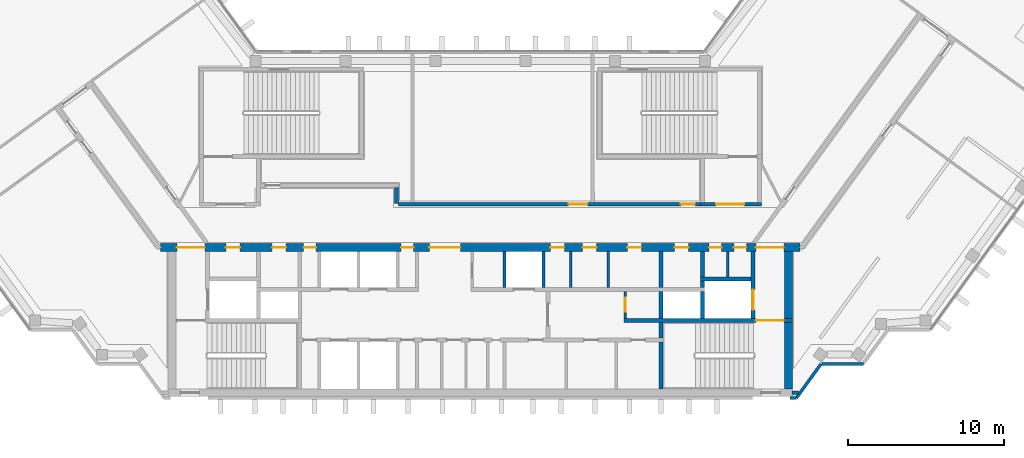
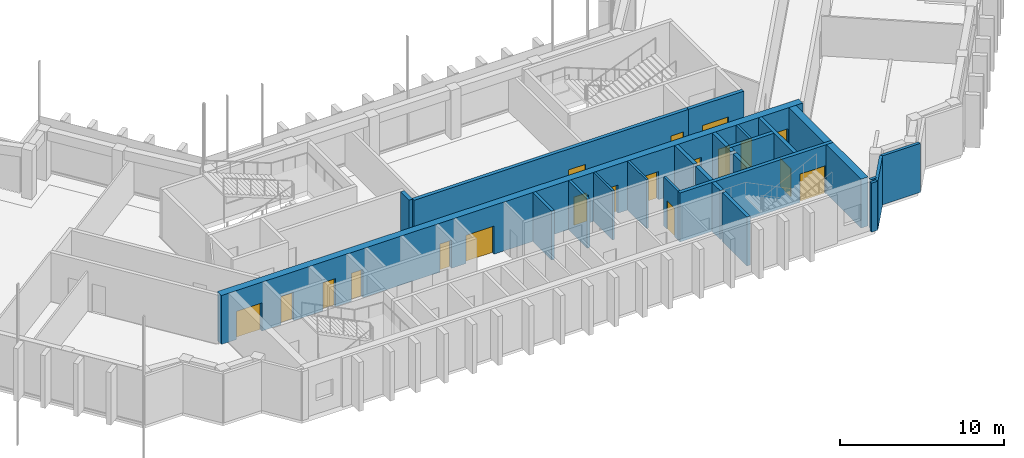
# One storey, part 10 of 14: 26 walls, 19 doors, 19 openings.
"""IFC4 building model written with IfcOpenShell, lengths in metres."""

import ifcopenshell
import ifcopenshell.guid

model = None  # the IFC model being written
_history = None  # IfcOwnerHistory: only IFC2X3 demands one
_inside = {}  # id of a spatial element -> (the spatial element, [elements in it])
_under = {}  # id of a project, library or spatial element -> (it, [spatial elements below it])
_declared = {}  # id of a project -> (the project, [libraries it declares])
_typed = {}  # id of a type object -> (the type object, [elements of that type])
_made_of = {}  # id of a material, layer set ... -> (it, [elements and type objects made of it])


def new_model(schema):
    """Start an empty IFC model of exactly this schema.

    Asked for "IFC4X3", IfcOpenShell would pick the latest addendum, in which some entities
    have other attributes; the version numbers below select the first issue.
    IFC2X3 requires an IfcOwnerHistory on every rooted entity: one is made here for all.
    """
    global model, _history
    if schema == "IFC4X3":
        model = ifcopenshell.file(schema_version=(4, 3, 0, 0))
    else:
        model = ifcopenshell.file(schema=schema)
    _inside.clear()
    _under.clear()
    _declared.clear()
    _typed.clear()
    _made_of.clear()
    _history = None
    if model.schema == "IFC2X3":
        org = make("IfcOrganization", Name="unknown")
        user = make(
            "IfcPersonAndOrganization",
            ThePerson=make("IfcPerson", FamilyName="unknown"),
            TheOrganization=org,
        )
        app = make(
            "IfcApplication",
            ApplicationDeveloper=org,
            Version="unknown",
            ApplicationFullName="unknown",
            ApplicationIdentifier="unknown",
        )
        _history = make(
            "IfcOwnerHistory",
            OwningUser=user,
            OwningApplication=app,
            ChangeAction="ADDED",
            CreationDate=0,
        )
    return model


def make(cls, **values):
    """One entity of the class cls with the attributes given. An attribute that is None is left unset."""
    return model.create_entity(
        cls, **{name: value for name, value in values.items() if value is not None}
    )


def rooted(cls, **values):
    """An entity with a GlobalId (a new one), such as an element, a storey or a relation."""
    return make(cls, GlobalId=ifcopenshell.guid.new(), OwnerHistory=_history, **values)


def si_unit(unit_type, name, prefix=None):
    """IfcSIUnit, for example si_unit("LENGTHUNIT", "METRE", prefix="MILLI")."""
    return make("IfcSIUnit", UnitType=unit_type, Prefix=prefix, Name=name)


def assignment(units):
    """IfcUnitAssignment: the units of a project."""
    return None if units is None else make("IfcUnitAssignment", Units=units)


def point(xyz):
    """IfcCartesianPoint."""
    return None if xyz is None else make("IfcCartesianPoint", Coordinates=xyz)


def direction(xyz):
    """IfcDirection."""
    return None if xyz is None else make("IfcDirection", DirectionRatios=xyz)


def frame(location, z_axis=None, x_axis=None):
    """IfcAxis2Placement3D, a coordinate frame: its origin and axes. An axis left out is left unset."""
    return make(
        "IfcAxis2Placement3D",
        Location=point(location),
        Axis=direction(z_axis),
        RefDirection=direction(x_axis),
    )


def frame_2d(location, x_axis=None):
    """IfcAxis2Placement2D, a coordinate frame in the plane: its origin and x axis."""
    return make(
        "IfcAxis2Placement2D", Location=point(location), RefDirection=direction(x_axis)
    )


def origin():
    """The frame at (0, 0, 0) with its axes left unset."""
    return frame((0.0, 0.0, 0.0))


def place(relative_to, where):
    """IfcLocalPlacement: puts the frame where relative to a parent placement (None: the world)."""
    return make(
        "IfcLocalPlacement", PlacementRelTo=relative_to, RelativePlacement=where
    )


def context(
    kind, dimensions, precision=None, world=None, true_north=None, identifier=None
):
    """IfcGeometricRepresentationContext, for example the 3D "Model" context."""
    return make(
        "IfcGeometricRepresentationContext",
        ContextIdentifier=identifier,
        ContextType=kind,
        CoordinateSpaceDimension=dimensions,
        Precision=precision,
        WorldCoordinateSystem=world,
        TrueNorth=true_north,
    )


def subcontext(parent, identifier, kind, view, scale=None):
    """IfcGeometricRepresentationSubContext, for example "Body" below "Model"."""
    return make(
        "IfcGeometricRepresentationSubContext",
        ContextIdentifier=identifier,
        ContextType=kind,
        ParentContext=parent,
        TargetScale=scale,
        TargetView=view,
    )


def project(units=None, contexts=None):
    """IfcProject with its units and contexts."""
    return rooted(
        "IfcProject",
        Name="project",
        RepresentationContexts=contexts,
        UnitsInContext=assignment(units),
    )


def spatial(cls, under=None, at=None, **own):
    """A site, building, storey or space (cls), placed at a placement, below another one or the project."""
    s = rooted(cls, ObjectPlacement=at, **own)
    if under is not None:
        _under.setdefault(under.id(), (under, []))[1].append(s)
    return s


def profile(cls, at=None, kind="AREA", **sizes):
    """A parametric profile (cls). Its sizes go by their IFC names, for example OverallWidth=200.0."""
    return make(cls, ProfileType=kind, Position=at, **sizes)


def rectangle(**sizes):
    """IfcRectangleProfileDef."""
    return profile("IfcRectangleProfileDef", **sizes)


def extrude(swept, where, along, depth):
    """IfcExtrudedAreaSolid: the profile swept, set in the frame where, extruded along a direction by depth."""
    return make(
        "IfcExtrudedAreaSolid",
        SweptArea=swept,
        Position=where,
        ExtrudedDirection=direction(along),
        Depth=depth,
    )


def shape(context_of_items, identifier, shape_type, items):
    """IfcShapeRepresentation: the items that make up one representation, for example the "Body"."""
    return make(
        "IfcShapeRepresentation",
        ContextOfItems=context_of_items,
        RepresentationIdentifier=identifier,
        RepresentationType=shape_type,
        Items=items,
    )


def material(Name=None, Category=None):
    """IfcMaterial."""
    return make("IfcMaterial", Name=Name, Category=Category)


def layer(
    of_material, thickness, ventilated=None, Name=None, Category=None, Priority=None
):
    """IfcMaterialLayer: one layer of a wall or slab, of a material (None: an air gap)."""
    return make(
        "IfcMaterialLayer",
        Material=of_material,
        LayerThickness=thickness,
        IsVentilated=ventilated,
        Name=Name,
        Category=Category,
        Priority=Priority,
    )


def layer_set(layers, Name=None):
    """IfcMaterialLayerSet."""
    return make("IfcMaterialLayerSet", MaterialLayers=layers, LayerSetName=Name)


def made_of(thing, what):
    """Note that an element or type object is made of a material, layer set ...; save() writes the relation."""
    if what is not None:
        _made_of.setdefault(what.id(), (what, []))[1].append(thing)
    return thing


def type_object(cls, material=None, **own):
    """A type object (cls), such as IfcWallType, which elements share."""
    return made_of(rooted(cls, **own), material)


def element(
    cls,
    number,
    at=None,
    inside=None,
    cuts=None,
    type_object=None,
    material=None,
    context=None,
    identifier="Body",
    shape_type=None,
    held_by="IfcProductDefinitionShape",
    body=None,
    shapes=None,
    **own,
):
    """One element of the class cls, such as IfcWall. Its Tag is "e" and its number.

    at: its placement. inside: the storey or other place that contains it. cuts: it is an
    opening in that element (IfcRelVoidsElement). A single representation is given by context,
    identifier, shape_type and body (its items); several are given by shapes. held_by: the class
    of the entity that holds the representations. save() writes the other relations.
    """
    e = rooted(cls, Tag="e%d" % number, ObjectPlacement=at, **own)
    if body is not None:
        shapes = [shape(context, identifier, shape_type, body)]
    if shapes is not None:
        e.Representation = make(held_by, Representations=shapes)
    if inside is not None:
        _inside.setdefault(inside.id(), (inside, []))[1].append(e)
    if cuts is not None:
        rooted(
            "IfcRelVoidsElement", RelatingBuildingElement=cuts, RelatedOpeningElement=e
        )
    if type_object is not None:
        _typed.setdefault(type_object.id(), (type_object, []))[1].append(e)
    return made_of(e, material)


def fill(opening, filler):
    """IfcRelFillsElement: the door or window that sits in an opening."""
    return rooted(
        "IfcRelFillsElement",
        RelatingOpeningElement=opening,
        RelatedBuildingElement=filler,
    )


def aggregate(whole, parts):
    """IfcRelAggregates: a whole, such as a stair, and the parts it consists of."""
    return rooted("IfcRelAggregates", RelatingObject=whole, RelatedObjects=parts)


def save(model, path):
    """Write the relations noted so far, then the file.

    IfcRelAggregates (storeys below a building ...), IfcRelContainedInSpatialStructure (elements
    in a storey), IfcRelDefinesByType, IfcRelAssociatesMaterial and IfcRelDeclares: one each for
    every whole, place, type object, material and project.
    """
    for whole, parts in _under.values():
        aggregate(whole, parts)
    for where, things in _inside.values():
        rooted(
            "IfcRelContainedInSpatialStructure",
            RelatedElements=things,
            RelatingStructure=where,
        )
    for kind, things in _typed.values():
        rooted("IfcRelDefinesByType", RelatedObjects=things, RelatingType=kind)
    for what, things in _made_of.values():
        rooted("IfcRelAssociatesMaterial", RelatedObjects=things, RelatingMaterial=what)
    for by, libraries in _declared.values():
        rooted("IfcRelDeclares", RelatingContext=by, RelatedDefinitions=libraries)
    model.write(path)


model = new_model("IFC4")

# Units and contexts
model_context = context("Model", 3, precision=1e-05, world=origin(), true_north=direction((0.0, 1.0)))
body_context = subcontext(model_context, "Body", "Model", "MODEL_VIEW")
ifc_project = project(units=[si_unit("LENGTHUNIT", "METRE"), si_unit("AREAUNIT", "SQUARE_METRE"), si_unit("VOLUMEUNIT", "CUBIC_METRE"), si_unit("PLANEANGLEUNIT", "RADIAN"), si_unit("MASSUNIT", "GRAM", prefix="KILO")], contexts=[model_context])

# Site, building, storey
site_placement = place(None, origin())
site = spatial("IfcSite", under=ifc_project, at=site_placement, CompositionType="ELEMENT")
building_placement = place(site_placement, origin())
building = spatial("IfcBuilding", under=site, at=building_placement, Name="Quipu Civic Tower", CompositionType="ELEMENT")
storey_placement = place(building_placement, frame((0.0, 0.0, 323.0)))
storey = spatial("IfcBuildingStorey", under=building, at=storey_placement, Name="L75", CompositionType="ELEMENT", Elevation=323.0)

# Walls
ifc_material_1 = material(Name="Concrete C70/85", Category="concrete")
ifc_layer_1 = layer(ifc_material_1, 0.25)
ifc_layer_set_1 = layer_set([ifc_layer_1], Name="Concrete C70/85")
wall_type_1 = type_object("IfcWallType", Name="Core wall 250", PredefinedType="SHEAR", material=ifc_layer_set_1)
wall_1_placement = place(storey_placement, frame((11.574951171875, -10.5, 0.0), z_axis=(0.0, 0.0, 1.0), x_axis=(0.0, 1.0, 0.0)))
element("IfcWall", 1, at=wall_1_placement, inside=storey, type_object=wall_type_1, Name="Core wall", PredefinedType="SHEAR", context=body_context, shape_type="SweptSolid", body=[
    extrude(rectangle(XDim=3.0, YDim=0.25, at=frame_2d((1.5, 0.0))), origin(), (0.0, 0.0, 1.0), 3.64990234375),
])
wall_2_placement = place(storey_placement, frame((11.574951171875, -7.25, 0.0), z_axis=(0.0, 0.0, 1.0), x_axis=(0.0, 1.0, 0.0)))
element("IfcWall", 2, at=wall_2_placement, inside=storey, type_object=wall_type_1, Name="Core wall", PredefinedType="SHEAR", context=body_context, shape_type="SweptSolid", body=[
    extrude(rectangle(XDim=1.0, YDim=0.25, at=frame_2d((0.5, 0.0))), origin(), (0.0, 0.0, 1.0), 3.64990234375),
])

# Wall, opening, door
wall_3_placement = place(storey_placement, frame((20.0, -6.125, 0.0), z_axis=(0.0, 0.0, 1.0), x_axis=(-1.0, 0.0, 0.0)))
wall_3 = element("IfcWall", 3, at=wall_3_placement, inside=storey, type_object=wall_type_1, Name="Core wall", PredefinedType="SHEAR", context=body_context, shape_type="SweptSolid", body=[
    extrude(rectangle(XDim=10.800048828125, YDim=0.25, at=frame_2d((5.39990234375, 0.0))), origin(), (0.0, 0.0, 1.0), 3.64990234375),
])
opening_1_placement = place(wall_3_placement, frame((0.550048828125, 0.0, 0.0)))
opening_1 = element("IfcOpeningElement", 4, at=opening_1_placement, cuts=wall_3, Name="Opening CD-11", PredefinedType="OPENING", context=body_context, shape_type="SweptSolid", body=[
    extrude(rectangle(XDim=1.800048828125, YDim=2.10009765625, at=frame_2d((0.89990234375, 1.050048828125))), frame((0.0, 0.135009765625, 0.0), z_axis=(0.0, -1.0, 0.0), x_axis=(1.0, 0.0, 0.0)), (0.0, 0.0, 1.0), 0.27001953125),
])
ifc_material_2 = material(Name="Fire rated steel door", Category="steel")
door_type_1 = type_object("IfcDoorType", Name="Fire door FD90 double 1800 x 2100", OperationType="NOTDEFINED", PredefinedType="DOOR", material=ifc_material_2)
door_1_placement = place(opening_1_placement, origin())
door_1 = element("IfcDoor", 5, at=door_1_placement, inside=storey, type_object=door_type_1, Name="Door", OperationType="DOUBLE_DOOR_SINGLE_SWING", OverallHeight=2.10009765625, OverallWidth=1.800048828125, PredefinedType="DOOR", context=body_context, shape_type="SweptSolid", body=[
    extrude(rectangle(XDim=1.800048828125, YDim=2.10009765625, at=frame_2d((0.89990234375, 1.050048828125))), frame((0.0, 0.02490234375, 0.0), z_axis=(0.0, -1.0, 0.0), x_axis=(1.0, 0.0, 0.0)), (0.0, 0.0, 1.0), 0.050048828125),
])
fill(opening_1, door_1)

# Walls
for number, where, z_axis, x_axis, name in (
    (6, (11.574951171875, -6.0, 0.0), (0.0, 0.0, 1.0), (0.0, 1.0, 0.0), "Core wall"),
    (7, (14.22509765625, -6.0, 0.0), (0.0, 0.0, 1.0), (0.0, 1.0, 0.0), "Core wall"),
):
    element("IfcWall", number, at=place(storey_placement, frame(where, z_axis=z_axis, x_axis=x_axis)), inside=storey, type_object=wall_type_1, Name=name, PredefinedType="SHEAR", context=body_context, shape_type="SweptSolid", body=[
        extrude(rectangle(XDim=1.75, YDim=0.25, at=frame_2d((0.875, 0.0))), origin(), (0.0, 0.0, 1.0), 3.64990234375),
    ])

# Wall, opening, door
wall_4_placement = place(storey_placement, frame((17.47509765625, -6.0, 0.0), z_axis=(0.0, 0.0, 1.0), x_axis=(0.0, 1.0, 0.0)))
wall_4 = element("IfcWall", 8, at=wall_4_placement, inside=storey, type_object=wall_type_1, Name="Core wall", PredefinedType="SHEAR", context=body_context, shape_type="SweptSolid", body=[
    extrude(rectangle(XDim=4.300048828125, YDim=0.25, at=frame_2d((2.14990234375, 0.0))), origin(), (0.0, 0.0, 1.0), 3.64990234375),
])
opening_2_placement = place(wall_4_placement, frame((0.550048828125, 0.0, 0.0)))
opening_2 = element("IfcOpeningElement", 9, at=opening_2_placement, cuts=wall_4, Name="Opening LD-FF2", PredefinedType="OPENING", context=body_context, shape_type="SweptSolid", body=[
    extrude(rectangle(XDim=1.300048828125, YDim=2.10009765625, at=frame_2d((0.64990234375, 1.050048828125))), frame((0.0, 0.135009765625, 0.0), z_axis=(0.0, -1.0, 0.0), x_axis=(1.0, 0.0, 0.0)), (0.0, 0.0, 1.0), 0.27001953125),
])
ifc_material_3 = material(Name="Stainless steel", Category="steel")
door_type_2 = type_object("IfcDoorType", Name="Lift landing door 1300 x 2100", OperationType="DOUBLE_DOOR_SLIDING", PredefinedType="DOOR", material=ifc_material_3)
door_2_placement = place(opening_2_placement, origin())
door_2 = element("IfcDoor", 10, at=door_2_placement, inside=storey, type_object=door_type_2, Name="Landing door FF2", OperationType="DOUBLE_DOOR_SLIDING", OverallHeight=2.10009765625, OverallWidth=1.300048828125, PredefinedType="DOOR", context=body_context, shape_type="SweptSolid", body=[
    extrude(rectangle(XDim=1.300048828125, YDim=2.10009765625, at=frame_2d((0.64990234375, 1.050048828125))), frame((0.0, 0.02490234375, 0.0), z_axis=(0.0, -1.0, 0.0), x_axis=(1.0, 0.0, 0.0)), (0.0, 0.0, 1.0), 0.050048828125),
])
fill(opening_2, door_2)

# Walls
wall_5_placement = place(storey_placement, frame((11.574951171875, -4.0, 0.0), z_axis=(0.0, 0.0, 1.0), x_axis=(0.0, 1.0, 0.0)))
element("IfcWall", 11, at=wall_5_placement, inside=storey, type_object=wall_type_1, Name="Core wall", PredefinedType="SHEAR", context=body_context, shape_type="SweptSolid", body=[
    extrude(rectangle(XDim=2.300048828125, YDim=0.25, at=frame_2d((1.14990234375, 0.0))), origin(), (0.0, 0.0, 1.0), 3.64990234375),
])
wall_6_placement = place(storey_placement, frame((14.22509765625, -4.0, 0.0), z_axis=(0.0, 0.0, 1.0), x_axis=(0.0, 1.0, 0.0)))
element("IfcWall", 12, at=wall_6_placement, inside=storey, type_object=wall_type_1, Name="Core wall", PredefinedType="SHEAR", context=body_context, shape_type="SweptSolid", body=[
    extrude(rectangle(XDim=0.39990234375, YDim=0.25, at=frame_2d((0.199951171875, 0.0))), origin(), (0.0, 0.0, 1.0), 3.64990234375),
])
wall_7_placement = place(storey_placement, frame((14.10009765625, -3.47509765625, 0.0), z_axis=(0.0, 0.0, 1.0), x_axis=(1.0, 0.0, 0.0)))
element("IfcWall", 13, at=wall_7_placement, inside=storey, type_object=wall_type_1, Name="Core wall", PredefinedType="SHEAR", context=body_context, shape_type="SweptSolid", body=[
    extrude(rectangle(XDim=3.25, YDim=0.25, at=frame_2d((1.625, 0.0))), origin(), (0.0, 0.0, 1.0), 3.64990234375),
])
wall_8_placement = place(storey_placement, frame((14.22509765625, -3.35009765625, 0.0), z_axis=(0.0, 0.0, 1.0), x_axis=(0.0, 1.0, 0.0)))
element("IfcWall", 14, at=wall_8_placement, inside=storey, type_object=wall_type_1, Name="Core wall", PredefinedType="SHEAR", context=body_context, shape_type="SweptSolid", body=[
    extrude(rectangle(XDim=1.650146484375, YDim=0.25, at=frame_2d((0.8251953125, 0.0))), origin(), (0.0, 0.0, 1.0), 3.64990234375),
])

# Wall, opening, door
wall_9_placement = place(storey_placement, frame((14.10009765625, 1.324951171875, 0.0), z_axis=(0.0, 0.0, 1.0), x_axis=(1.0, 0.0, 0.0)))
wall_9 = element("IfcWall", 15, at=wall_9_placement, inside=storey, type_object=wall_type_1, Name="Core wall", PredefinedType="SHEAR", context=body_context, shape_type="SweptSolid", body=[
    extrude(rectangle(XDim=3.89990234375, YDim=0.25, at=frame_2d((1.949951171875, 0.0))), origin(), (0.0, 0.0, 1.0), 3.64990234375),
])
opening_3_placement = place(wall_9_placement, frame((1.0, 0.0, 0.0)))
opening_3 = element("IfcOpeningElement", 16, at=opening_3_placement, cuts=wall_9, Name="Opening CD-30", PredefinedType="OPENING", context=body_context, shape_type="SweptSolid", body=[
    extrude(rectangle(XDim=1.800048828125, YDim=2.10009765625, at=frame_2d((0.89990234375, 1.050048828125))), frame((0.0, 0.135009765625, 0.0), z_axis=(0.0, -1.0, 0.0), x_axis=(1.0, 0.0, 0.0)), (0.0, 0.0, 1.0), 0.27001953125),
])
door_3_placement = place(opening_3_placement, origin())
door_3 = element("IfcDoor", 17, at=door_3_placement, inside=storey, type_object=door_type_1, Name="Lobby door", OperationType="DOUBLE_DOOR_SINGLE_SWING", OverallHeight=2.10009765625, OverallWidth=1.800048828125, PredefinedType="DOOR", context=body_context, shape_type="SweptSolid", body=[
    extrude(rectangle(XDim=1.800048828125, YDim=2.10009765625, at=frame_2d((0.89990234375, 1.050048828125))), frame((0.0, 0.02490234375, 0.0), z_axis=(0.0, -1.0, 0.0), x_axis=(1.0, 0.0, 0.0)), (0.0, 0.0, 1.0), 0.050048828125),
])
fill(opening_3, door_3)

# Walls
ifc_material_4 = material(Name="Concrete C70/85", Category="concrete")
ifc_layer_2 = layer(ifc_material_4, 0.5)
ifc_layer_set_2 = layer_set([ifc_layer_2], Name="Concrete C70/85")
wall_type_2 = type_object("IfcWallType", Name="Core wall 500", PredefinedType="SHEAR", material=ifc_layer_set_2)
wall_10_placement = place(storey_placement, frame((19.75, -10.5, 0.0), z_axis=(0.0, 0.0, 1.0), x_axis=(0.0, 1.0, 0.0)))
element("IfcWall", 18, at=wall_10_placement, inside=storey, type_object=wall_type_2, Name="Core wall", PredefinedType="SHEAR", context=body_context, shape_type="SweptSolid", body=[
    extrude(rectangle(XDim=4.25, YDim=0.5, at=frame_2d((2.125, 0.0))), origin(), (0.0, 0.0, 1.0), 3.64990234375),
])
wall_11_placement = place(storey_placement, frame((19.75, -6.0, 0.0), z_axis=(0.0, 0.0, 1.0), x_axis=(0.0, 1.0, 0.0)))
element("IfcWall", 19, at=wall_11_placement, inside=storey, type_object=wall_type_2, Name="Core wall", PredefinedType="SHEAR", context=body_context, shape_type="SweptSolid", body=[
    extrude(rectangle(XDim=4.300048828125, YDim=0.5, at=frame_2d((2.14990234375, 0.0))), origin(), (0.0, 0.0, 1.0), 3.64990234375),
])

# Wall, openings, doors
wall_12_placement = place(storey_placement, frame((20.489990234375, -1.449951171875, 0.0), z_axis=(0.0, 0.0, 1.0), x_axis=(-1.0, 0.0, 0.0)))
wall_12 = element("IfcWall", 20, at=wall_12_placement, inside=storey, type_object=wall_type_2, Name="Core wall", PredefinedType="SHEAR", context=body_context, shape_type="SweptSolid", body=[
    extrude(rectangle(XDim=40.97998046875, YDim=0.5, at=frame_2d((20.489990234375, 0.0))), origin(), (0.0, 0.0, 1.0), 3.64990234375),
])
opening_4_placement = place(wall_12_placement, frame((38.139892578125, 0.0, 0.0)))
opening_4 = element("IfcOpeningElement", 21, at=opening_4_placement, cuts=wall_12, Name="Opening CD-15", PredefinedType="OPENING", context=body_context, shape_type="SweptSolid", body=[
    extrude(rectangle(XDim=1.800048828125, YDim=2.10009765625, at=frame_2d((0.89990234375, 1.050048828125))), frame((0.0, 0.260009765625, 0.0), z_axis=(0.0, -1.0, 0.0), x_axis=(1.0, 0.0, 0.0)), (0.0, 0.0, 1.0), 0.52001953125),
])
opening_5_placement = place(wall_12_placement, frame((35.889892578125, 0.0, 0.0)))
opening_5 = element("IfcOpeningElement", 22, at=opening_5_placement, cuts=wall_12, Name="Opening CD-16", PredefinedType="OPENING", context=body_context, shape_type="SweptSolid", body=[
    extrude(rectangle(XDim=0.89990234375, YDim=2.10009765625, at=frame_2d((0.449951171875, 1.050048828125))), frame((0.0, 0.260009765625, 0.0), z_axis=(0.0, -1.0, 0.0), x_axis=(1.0, 0.0, 0.0)), (0.0, 0.0, 1.0), 0.52001953125),
])
opening_6_placement = place(wall_12_placement, frame((32.93994140625, 0.0, 0.0)))
opening_6 = element("IfcOpeningElement", 23, at=opening_6_placement, cuts=wall_12, Name="Opening CD-17", PredefinedType="OPENING", context=body_context, shape_type="SweptSolid", body=[
    extrude(rectangle(XDim=0.89990234375, YDim=2.10009765625, at=frame_2d((0.449951171875, 1.050048828125))), frame((0.0, 0.260009765625, 0.0), z_axis=(0.0, -1.0, 0.0), x_axis=(1.0, 0.0, 0.0)), (0.0, 0.0, 1.0), 0.52001953125),
])
opening_7_placement = place(wall_12_placement, frame((31.014892578125, 0.0, 0.0)))
opening_7 = element("IfcOpeningElement", 24, at=opening_7_placement, cuts=wall_12, Name="Opening CD-18", PredefinedType="OPENING", context=body_context, shape_type="SweptSolid", body=[
    extrude(rectangle(XDim=0.800048828125, YDim=2.10009765625, at=frame_2d((0.39990234375, 1.050048828125))), frame((0.0, 0.260009765625, 0.0), z_axis=(0.0, -1.0, 0.0), x_axis=(1.0, 0.0, 0.0)), (0.0, 0.0, 1.0), 0.52001953125),
])
opening_8_placement = place(wall_12_placement, frame((24.764892578125, 0.0, 0.0)))
opening_8 = element("IfcOpeningElement", 25, at=opening_8_placement, cuts=wall_12, Name="Opening CD-19", PredefinedType="OPENING", context=body_context, shape_type="SweptSolid", body=[
    extrude(rectangle(XDim=0.800048828125, YDim=2.10009765625, at=frame_2d((0.39990234375, 1.050048828125))), frame((0.0, 0.260009765625, 0.0), z_axis=(0.0, -1.0, 0.0), x_axis=(1.0, 0.0, 0.0)), (0.0, 0.0, 1.0), 0.52001953125),
])
opening_9_placement = place(wall_12_placement, frame((21.764892578125, 0.0, 0.0)))
opening_9 = element("IfcOpeningElement", 26, at=opening_9_placement, cuts=wall_12, Name="Opening CD-20", PredefinedType="OPENING", context=body_context, shape_type="SweptSolid", body=[
    extrude(rectangle(XDim=2.0, YDim=2.10009765625, at=frame_2d((1.0, 1.050048828125))), frame((0.0, 0.260009765625, 0.0), z_axis=(0.0, -1.0, 0.0), x_axis=(1.0, 0.0, 0.0)), (0.0, 0.0, 1.0), 0.52001953125),
])
opening_10_placement = place(wall_12_placement, frame((15.1025390625, 0.0, 0.0)))
opening_10 = element("IfcOpeningElement", 27, at=opening_10_placement, cuts=wall_12, Name="Opening CD-21", PredefinedType="OPENING", context=body_context, shape_type="SweptSolid", body=[
    extrude(rectangle(XDim=0.89990234375, YDim=2.10009765625, at=frame_2d((0.449951171875, 1.050048828125))), frame((0.0, 0.260009765625, 0.0), z_axis=(0.0, -1.0, 0.0), x_axis=(1.0, 0.0, 0.0)), (0.0, 0.0, 1.0), 0.52001953125),
])
opening_11_placement = place(wall_12_placement, frame((13.0400390625, 0.0, 0.0)))
opening_11 = element("IfcOpeningElement", 28, at=opening_11_placement, cuts=wall_12, Name="Opening CD-22", PredefinedType="OPENING", context=body_context, shape_type="SweptSolid", body=[
    extrude(rectangle(XDim=0.89990234375, YDim=2.10009765625, at=frame_2d((0.449951171875, 1.050048828125))), frame((0.0, 0.260009765625, 0.0), z_axis=(0.0, -1.0, 0.0), x_axis=(1.0, 0.0, 0.0)), (0.0, 0.0, 1.0), 0.52001953125),
])
opening_12_placement = place(wall_12_placement, frame((10.177490234375, 0.0, 0.0)))
opening_12 = element("IfcOpeningElement", 29, at=opening_12_placement, cuts=wall_12, Name="Opening CD-23", PredefinedType="OPENING", context=body_context, shape_type="SweptSolid", body=[
    extrude(rectangle(XDim=0.89990234375, YDim=2.10009765625, at=frame_2d((0.449951171875, 1.050048828125))), frame((0.0, 0.260009765625, 0.0), z_axis=(0.0, -1.0, 0.0), x_axis=(1.0, 0.0, 0.0)), (0.0, 0.0, 1.0), 0.52001953125),
])
opening_13_placement = place(wall_12_placement, frame((7.139892578125, 0.0, 0.0)))
opening_13 = element("IfcOpeningElement", 30, at=opening_13_placement, cuts=wall_12, Name="Opening CD-24", PredefinedType="OPENING", context=body_context, shape_type="SweptSolid", body=[
    extrude(rectangle(XDim=0.89990234375, YDim=2.10009765625, at=frame_2d((0.449951171875, 1.050048828125))), frame((0.0, 0.260009765625, 0.0), z_axis=(0.0, -1.0, 0.0), x_axis=(1.0, 0.0, 0.0)), (0.0, 0.0, 1.0), 0.52001953125),
])
opening_14_placement = place(wall_12_placement, frame((5.027587890625, 0.0, 0.0)))
opening_14 = element("IfcOpeningElement", 31, at=opening_14_placement, cuts=wall_12, Name="Opening CD-25", PredefinedType="OPENING", context=body_context, shape_type="SweptSolid", body=[
    extrude(rectangle(XDim=0.800048828125, YDim=2.10009765625, at=frame_2d((0.39990234375, 1.050048828125))), frame((0.0, 0.260009765625, 0.0), z_axis=(0.0, -1.0, 0.0), x_axis=(1.0, 0.0, 0.0)), (0.0, 0.0, 1.0), 0.52001953125),
])
opening_15_placement = place(wall_12_placement, frame((3.452392578125, 0.0, 0.0)))
opening_15 = element("IfcOpeningElement", 32, at=opening_15_placement, cuts=wall_12, Name="Opening CD-26", PredefinedType="OPENING", context=body_context, shape_type="SweptSolid", body=[
    extrude(rectangle(XDim=0.800048828125, YDim=2.10009765625, at=frame_2d((0.39990234375, 1.050048828125))), frame((0.0, 0.260009765625, 0.0), z_axis=(0.0, -1.0, 0.0), x_axis=(1.0, 0.0, 0.0)), (0.0, 0.0, 1.0), 0.52001953125),
])
opening_16_placement = place(wall_12_placement, frame((1.0400390625, 0.0, 0.0)))
opening_16 = element("IfcOpeningElement", 33, at=opening_16_placement, cuts=wall_12, Name="Opening CD-27", PredefinedType="OPENING", context=body_context, shape_type="SweptSolid", body=[
    extrude(rectangle(XDim=1.800048828125, YDim=2.10009765625, at=frame_2d((0.89990234375, 1.050048828125))), frame((0.0, 0.260009765625, 0.0), z_axis=(0.0, -1.0, 0.0), x_axis=(1.0, 0.0, 0.0)), (0.0, 0.0, 1.0), 0.52001953125),
])
ifc_material_5 = material(Name="Fire rated steel door", Category="steel")
door_type_3 = type_object("IfcDoorType", Name="Fire door FD60 800 x 2100", OperationType="NOTDEFINED", PredefinedType="DOOR", material=ifc_material_5)
door_4_placement = place(opening_7_placement, origin())
door_4 = element("IfcDoor", 34, at=door_4_placement, inside=storey, type_object=door_type_3, Name="Door", OperationType="SINGLE_SWING_RIGHT", OverallHeight=2.10009765625, OverallWidth=0.800048828125, PredefinedType="DOOR", context=body_context, shape_type="SweptSolid", body=[
    extrude(rectangle(XDim=0.800048828125, YDim=2.10009765625, at=frame_2d((0.39990234375, 1.050048828125))), frame((0.0, 0.02490234375, 0.0), z_axis=(0.0, -1.0, 0.0), x_axis=(1.0, 0.0, 0.0)), (0.0, 0.0, 1.0), 0.050048828125),
])
fill(opening_7, door_4)
door_5_placement = place(opening_8_placement, origin())
door_5 = element("IfcDoor", 35, at=door_5_placement, inside=storey, type_object=door_type_3, Name="Door", OperationType="SINGLE_SWING_RIGHT", OverallHeight=2.10009765625, OverallWidth=0.800048828125, PredefinedType="DOOR", context=body_context, shape_type="SweptSolid", body=[
    extrude(rectangle(XDim=0.800048828125, YDim=2.10009765625, at=frame_2d((0.39990234375, 1.050048828125))), frame((0.0, 0.02490234375, 0.0), z_axis=(0.0, -1.0, 0.0), x_axis=(1.0, 0.0, 0.0)), (0.0, 0.0, 1.0), 0.050048828125),
])
fill(opening_8, door_5)
door_6_placement = place(opening_14_placement, origin())
door_6 = element("IfcDoor", 36, at=door_6_placement, inside=storey, type_object=door_type_3, Name="Door", OperationType="SINGLE_SWING_LEFT", OverallHeight=2.10009765625, OverallWidth=0.800048828125, PredefinedType="DOOR", context=body_context, shape_type="SweptSolid", body=[
    extrude(rectangle(XDim=0.800048828125, YDim=2.10009765625, at=frame_2d((0.39990234375, 1.050048828125))), frame((0.0, 0.02490234375, 0.0), z_axis=(0.0, -1.0, 0.0), x_axis=(1.0, 0.0, 0.0)), (0.0, 0.0, 1.0), 0.050048828125),
])
fill(opening_14, door_6)
door_7_placement = place(opening_15_placement, origin())
door_7 = element("IfcDoor", 37, at=door_7_placement, inside=storey, type_object=door_type_3, Name="Door", OperationType="SINGLE_SWING_LEFT", OverallHeight=2.10009765625, OverallWidth=0.800048828125, PredefinedType="DOOR", context=body_context, shape_type="SweptSolid", body=[
    extrude(rectangle(XDim=0.800048828125, YDim=2.10009765625, at=frame_2d((0.39990234375, 1.050048828125))), frame((0.0, 0.02490234375, 0.0), z_axis=(0.0, -1.0, 0.0), x_axis=(1.0, 0.0, 0.0)), (0.0, 0.0, 1.0), 0.050048828125),
])
fill(opening_15, door_7)
ifc_material_6 = material(Name="Fire rated steel door", Category="steel")
door_type_4 = type_object("IfcDoorType", Name="Fire door FD60 900 x 2100", OperationType="NOTDEFINED", PredefinedType="DOOR", material=ifc_material_6)
door_8_placement = place(opening_5_placement, origin())
door_8 = element("IfcDoor", 38, at=door_8_placement, inside=storey, type_object=door_type_4, Name="Door", OperationType="SINGLE_SWING_RIGHT", OverallHeight=2.10009765625, OverallWidth=0.89990234375, PredefinedType="DOOR", context=body_context, shape_type="SweptSolid", body=[
    extrude(rectangle(XDim=0.89990234375, YDim=2.10009765625, at=frame_2d((0.449951171875, 1.050048828125))), frame((0.0, 0.02490234375, 0.0), z_axis=(0.0, -1.0, 0.0), x_axis=(1.0, 0.0, 0.0)), (0.0, 0.0, 1.0), 0.050048828125),
])
fill(opening_5, door_8)
door_9_placement = place(opening_6_placement, origin())
door_9 = element("IfcDoor", 39, at=door_9_placement, inside=storey, type_object=door_type_4, Name="Riser door", OperationType="SINGLE_SWING_RIGHT", OverallHeight=2.10009765625, OverallWidth=0.89990234375, PredefinedType="DOOR", context=body_context, shape_type="SweptSolid", body=[
    extrude(rectangle(XDim=0.89990234375, YDim=2.10009765625, at=frame_2d((0.449951171875, 1.050048828125))), frame((0.0, 0.02490234375, 0.0), z_axis=(0.0, -1.0, 0.0), x_axis=(1.0, 0.0, 0.0)), (0.0, 0.0, 1.0), 0.050048828125),
])
fill(opening_6, door_9)
door_10_placement = place(opening_10_placement, origin())
door_10 = element("IfcDoor", 40, at=door_10_placement, inside=storey, type_object=door_type_4, Name="Door", OperationType="SINGLE_SWING_LEFT", OverallHeight=2.10009765625, OverallWidth=0.89990234375, PredefinedType="DOOR", context=body_context, shape_type="SweptSolid", body=[
    extrude(rectangle(XDim=0.89990234375, YDim=2.10009765625, at=frame_2d((0.449951171875, 1.050048828125))), frame((0.0, 0.02490234375, 0.0), z_axis=(0.0, -1.0, 0.0), x_axis=(1.0, 0.0, 0.0)), (0.0, 0.0, 1.0), 0.050048828125),
])
fill(opening_10, door_10)
door_11_placement = place(opening_11_placement, origin())
door_11 = element("IfcDoor", 41, at=door_11_placement, inside=storey, type_object=door_type_4, Name="Door", OperationType="SINGLE_SWING_LEFT", OverallHeight=2.10009765625, OverallWidth=0.89990234375, PredefinedType="DOOR", context=body_context, shape_type="SweptSolid", body=[
    extrude(rectangle(XDim=0.89990234375, YDim=2.10009765625, at=frame_2d((0.449951171875, 1.050048828125))), frame((0.0, 0.02490234375, 0.0), z_axis=(0.0, -1.0, 0.0), x_axis=(1.0, 0.0, 0.0)), (0.0, 0.0, 1.0), 0.050048828125),
])
fill(opening_11, door_11)
door_12_placement = place(opening_12_placement, origin())
door_12 = element("IfcDoor", 42, at=door_12_placement, inside=storey, type_object=door_type_4, Name="Door", OperationType="SINGLE_SWING_LEFT", OverallHeight=2.10009765625, OverallWidth=0.89990234375, PredefinedType="DOOR", context=body_context, shape_type="SweptSolid", body=[
    extrude(rectangle(XDim=0.89990234375, YDim=2.10009765625, at=frame_2d((0.449951171875, 1.050048828125))), frame((0.0, 0.02490234375, 0.0), z_axis=(0.0, -1.0, 0.0), x_axis=(1.0, 0.0, 0.0)), (0.0, 0.0, 1.0), 0.050048828125),
])
fill(opening_12, door_12)
door_13_placement = place(opening_13_placement, origin())
door_13 = element("IfcDoor", 43, at=door_13_placement, inside=storey, type_object=door_type_4, Name="Riser door", OperationType="SINGLE_SWING_LEFT", OverallHeight=2.10009765625, OverallWidth=0.89990234375, PredefinedType="DOOR", context=body_context, shape_type="SweptSolid", body=[
    extrude(rectangle(XDim=0.89990234375, YDim=2.10009765625, at=frame_2d((0.449951171875, 1.050048828125))), frame((0.0, 0.02490234375, 0.0), z_axis=(0.0, -1.0, 0.0), x_axis=(1.0, 0.0, 0.0)), (0.0, 0.0, 1.0), 0.050048828125),
])
fill(opening_13, door_13)
door_14_placement = place(opening_4_placement, origin())
door_14 = element("IfcDoor", 44, at=door_14_placement, inside=storey, type_object=door_type_1, Name="Lobby door", OperationType="DOUBLE_DOOR_SINGLE_SWING", OverallHeight=2.10009765625, OverallWidth=1.800048828125, PredefinedType="DOOR", context=body_context, shape_type="SweptSolid", body=[
    extrude(rectangle(XDim=1.800048828125, YDim=2.10009765625, at=frame_2d((0.89990234375, 1.050048828125))), frame((0.0, 0.02490234375, 0.0), z_axis=(0.0, -1.0, 0.0), x_axis=(1.0, 0.0, 0.0)), (0.0, 0.0, 1.0), 0.050048828125),
])
fill(opening_4, door_14)
door_15_placement = place(opening_16_placement, origin())
door_15 = element("IfcDoor", 45, at=door_15_placement, inside=storey, type_object=door_type_1, Name="Lobby door", OperationType="DOUBLE_DOOR_SINGLE_SWING", OverallHeight=2.10009765625, OverallWidth=1.800048828125, PredefinedType="DOOR", context=body_context, shape_type="SweptSolid", body=[
    extrude(rectangle(XDim=1.800048828125, YDim=2.10009765625, at=frame_2d((0.89990234375, 1.050048828125))), frame((0.0, 0.02490234375, 0.0), z_axis=(0.0, -1.0, 0.0), x_axis=(1.0, 0.0, 0.0)), (0.0, 0.0, 1.0), 0.050048828125),
])
fill(opening_16, door_15)
ifc_material_7 = material(Name="Fire rated steel door", Category="steel")
door_type_5 = type_object("IfcDoorType", Name="Fire door FD90 double 2000 x 2100", OperationType="NOTDEFINED", PredefinedType="DOOR", material=ifc_material_7)
door_16_placement = place(opening_9_placement, origin())
door_16 = element("IfcDoor", 46, at=door_16_placement, inside=storey, type_object=door_type_5, Name="Lobby door", OperationType="DOUBLE_DOOR_SINGLE_SWING", OverallHeight=2.10009765625, OverallWidth=2.0, PredefinedType="DOOR", context=body_context, shape_type="SweptSolid", body=[
    extrude(rectangle(XDim=2.0, YDim=2.10009765625, at=frame_2d((1.0, 1.050048828125))), frame((0.0, 0.02490234375, 0.0), z_axis=(0.0, -1.0, 0.0), x_axis=(1.0, 0.0, 0.0)), (0.0, 0.0, 1.0), 0.050048828125),
])
fill(opening_9, door_16)

# Wall
ifc_material_8 = material(Name="Concrete C50/60", Category="concrete")
ifc_layer_3 = layer(ifc_material_8, 0.25)
ifc_layer_set_3 = layer_set([ifc_layer_3], Name="Concrete C50/60")
wall_type_3 = type_object("IfcWallType", Name="Corridor wall 250 concrete", PredefinedType="SOLIDWALL", material=ifc_layer_set_3)
wall_13_placement = place(storey_placement, frame((-5.375, 2.39990234375, 0.0), z_axis=(0.0, 0.0, 1.0), x_axis=(0.0, -1.0, 0.0)))
element("IfcWall", 47, at=wall_13_placement, inside=storey, type_object=wall_type_3, Name="Corridor wall C08", PredefinedType="SOLIDWALL", context=body_context, shape_type="SweptSolid", body=[
    extrude(rectangle(XDim=1.041259765625, YDim=0.25, at=frame_2d((0.5205078125, 0.0))), origin(), (0.0, 0.0, 1.0), 3.64990234375),
])

# Wall, openings, doors
wall_14_placement = place(storey_placement, frame((-5.246337890625, 1.324951171875, 0.0), z_axis=(0.0, 0.0, 1.0), x_axis=(1.0, 0.0, 0.0)))
wall_14 = element("IfcWall", 48, at=wall_14_placement, inside=storey, type_object=wall_type_3, Name="Corridor wall C09", PredefinedType="SOLIDWALL", context=body_context, shape_type="SweptSolid", body=[
    extrude(rectangle(XDim=19.33642578125, YDim=0.25, at=frame_2d((9.668212890625, 0.0))), origin(), (0.0, 0.0, 1.0), 3.64990234375),
])
opening_17_placement = place(wall_14_placement, frame((10.894287109375, 0.0, 0.0)))
opening_17 = element("IfcOpeningElement", 49, at=opening_17_placement, cuts=wall_14, Name="Opening D006", PredefinedType="OPENING", context=body_context, shape_type="SweptSolid", body=[
    extrude(rectangle(XDim=1.199951171875, YDim=2.10009765625, at=frame_2d((0.60009765625, 1.050048828125))), frame((0.0, 0.135009765625, 0.0), z_axis=(0.0, -1.0, 0.0), x_axis=(1.0, 0.0, 0.0)), (0.0, 0.0, 1.0), 0.27001953125),
])
opening_18_placement = place(wall_14_placement, frame((18.09619140625, 0.0, 0.0)))
opening_18 = element("IfcOpeningElement", 50, at=opening_18_placement, cuts=wall_14, Name="Opening D007", PredefinedType="OPENING", context=body_context, shape_type="SweptSolid", body=[
    extrude(rectangle(XDim=0.89990234375, YDim=2.10009765625, at=frame_2d((0.449951171875, 1.050048828125))), frame((0.0, 0.135009765625, 0.0), z_axis=(0.0, -1.0, 0.0), x_axis=(1.0, 0.0, 0.0)), (0.0, 0.0, 1.0), 0.27001953125),
])
ifc_material_9 = material(Name="Fire rated timber door set with metal frame", Category="wood")
door_type_6 = type_object("IfcDoorType", Name="Single door 1200 x 2100 FD60", OperationType="NOTDEFINED", PredefinedType="DOOR", material=ifc_material_9)
door_17_placement = place(opening_17_placement, origin())
door_17 = element("IfcDoor", 51, at=door_17_placement, inside=storey, type_object=door_type_6, Name="Door D006", OperationType="SINGLE_SWING_RIGHT", OverallHeight=2.10009765625, OverallWidth=1.199951171875, PredefinedType="DOOR", context=body_context, shape_type="SweptSolid", body=[
    extrude(rectangle(XDim=1.199951171875, YDim=2.10009765625, at=frame_2d((0.60009765625, 1.050048828125))), frame((0.0, 0.02490234375, 0.0), z_axis=(0.0, -1.0, 0.0), x_axis=(1.0, 0.0, 0.0)), (0.0, 0.0, 1.0), 0.050048828125),
])
fill(opening_17, door_17)
ifc_material_10 = material(Name="Fire rated timber door set with metal frame", Category="wood")
door_type_7 = type_object("IfcDoorType", Name="Single door 900 x 2100 FD60", OperationType="NOTDEFINED", PredefinedType="DOOR", material=ifc_material_10)
door_18_placement = place(opening_18_placement, origin())
door_18 = element("IfcDoor", 52, at=door_18_placement, inside=storey, type_object=door_type_7, Name="Door D007", OperationType="SINGLE_SWING_RIGHT", OverallHeight=2.10009765625, OverallWidth=0.89990234375, PredefinedType="DOOR", context=body_context, shape_type="SweptSolid", body=[
    extrude(rectangle(XDim=0.89990234375, YDim=2.10009765625, at=frame_2d((0.449951171875, 1.050048828125))), frame((0.0, 0.02490234375, 0.0), z_axis=(0.0, -1.0, 0.0), x_axis=(1.0, 0.0, 0.0)), (0.0, 0.0, 1.0), 0.050048828125),
])
fill(opening_18, door_18)

# Wall, opening, door
ifc_material_11 = material(Name="Gypsum board partition")
ifc_layer_4 = layer(ifc_material_11, 0.14990234375)
ifc_layer_set_4 = layer_set([ifc_layer_4], Name="Gypsum board partition")
wall_type_4 = type_object("IfcWallType", Name="Partition 150", PredefinedType="PARTITIONING", material=ifc_layer_set_4)
wall_15_placement = place(storey_placement, frame((9.27490234375, -6.0, 0.0), z_axis=(0.0, 0.0, 1.0), x_axis=(0.0, 1.0, 0.0)))
wall_15 = element("IfcWall", 53, at=wall_15_placement, inside=storey, type_object=wall_type_4, Name="Partition", PredefinedType="PARTITIONING", context=body_context, shape_type="SweptSolid", body=[
    extrude(rectangle(XDim=1.75, YDim=0.14990234375, at=frame_2d((0.875, 0.0))), origin(), (0.0, 0.0, 1.0), 3.64990234375),
])
opening_19_placement = place(wall_15_placement, frame((0.449951171875, 0.0, 0.0)))
opening_19 = element("IfcOpeningElement", 54, at=opening_19_placement, cuts=wall_15, Name="Opening CD-13", PredefinedType="OPENING", context=body_context, shape_type="SweptSolid", body=[
    extrude(rectangle(XDim=0.89990234375, YDim=2.10009765625, at=frame_2d((0.449951171875, 1.050048828125))), frame((0.0, 0.0849609375, 0.0), z_axis=(0.0, -1.0, 0.0), x_axis=(1.0, 0.0, 0.0)), (0.0, 0.0, 1.0), 0.169921875),
])
door_19_placement = place(opening_19_placement, origin())
door_19 = element("IfcDoor", 55, at=door_19_placement, inside=storey, type_object=door_type_4, Name="Door", OperationType="SINGLE_SWING_RIGHT", OverallHeight=2.10009765625, OverallWidth=0.89990234375, PredefinedType="DOOR", context=body_context, shape_type="SweptSolid", body=[
    extrude(rectangle(XDim=0.89990234375, YDim=2.10009765625, at=frame_2d((0.449951171875, 1.050048828125))), frame((0.0, 0.02490234375, 0.0), z_axis=(0.0, -1.0, 0.0), x_axis=(1.0, 0.0, 0.0)), (0.0, 0.0, 1.0), 0.050048828125),
])
fill(opening_19, door_19)

# Walls
for number, where, z_axis, x_axis, name in (
    (56, (5.800048828125, -4.0, 0.0), (0.0, 0.0, 1.0), (0.0, 1.0, 0.0), "Partition"),
    (57, (8.199951171875, -4.0, 0.0), (0.0, 0.0, 1.0), (0.0, 1.0, 0.0), "Partition"),
):
    element("IfcWall", number, at=place(storey_placement, frame(where, z_axis=z_axis, x_axis=x_axis)), inside=storey, type_object=wall_type_4, Name=name, PredefinedType="PARTITIONING", context=body_context, shape_type="SweptSolid", body=[
        extrude(rectangle(XDim=2.300048828125, YDim=0.14990234375, at=frame_2d((1.14990234375, 0.0))), origin(), (0.0, 0.0, 1.0), 3.64990234375),
    ])
wall_16_placement = place(storey_placement, frame((15.85009765625, -3.35009765625, 0.0), z_axis=(0.0, 0.0, 1.0), x_axis=(0.0, 1.0, 0.0)))
element("IfcWall", 58, at=wall_16_placement, inside=storey, type_object=wall_type_4, Name="Partition", PredefinedType="PARTITIONING", context=body_context, shape_type="SweptSolid", body=[
    extrude(rectangle(XDim=1.650146484375, YDim=0.14990234375, at=frame_2d((0.8251953125, 0.0))), origin(), (0.0, 0.0, 1.0), 3.64990234375),
])
ifc_material_12 = material(Name="Precast concrete C40/50", Category="concrete")
wall_type_5 = type_object("IfcWallType", Name="Precast cladding wall", PredefinedType="SOLIDWALL", material=ifc_material_12)
wall_17_placement = place(storey_placement, frame((19.85009765625, -11.087890625, 0.0), z_axis=(0.0, 0.0, 1.0), x_axis=(1.0, 0.0, 0.0)))
element("IfcWall", 59, at=wall_17_placement, inside=storey, type_object=wall_type_5, Name="Precast cladding wall L75 P22", PredefinedType="SOLIDWALL", context=body_context, shape_type="SweptSolid", body=[
    extrude(rectangle(XDim=0.40576171875, YDim=0.199951171875, at=frame_2d((0.202880859375, 0.0))), origin(), (0.0, 0.0, 1.0), 3.64990234375),
])
wall_18_placement = place(storey_placement, frame((20.253173828125, -11.083251953125, 0.0), z_axis=(0.0, 0.0, 1.0), x_axis=(0.587766567315, 0.809030569476, 0.0)))
element("IfcWall", 60, at=wall_18_placement, inside=storey, type_object=wall_type_5, Name="Precast cladding wall L75 P23", PredefinedType="SOLIDWALL", context=body_context, shape_type="SweptSolid", body=[
    extrude(rectangle(XDim=2.687744140625, YDim=0.199951171875, at=frame_2d((1.34375, 0.0))), origin(), (0.0, 0.0, 1.0), 3.64990234375),
])
wall_19_placement = place(storey_placement, frame((21.8427734375, -8.90380859375, 0.0), z_axis=(0.0, 0.0, 1.0), x_axis=(1.0, 0.0, 0.0)))
element("IfcWall", 61, at=wall_19_placement, inside=storey, type_object=wall_type_5, Name="Precast cladding wall L75 1", PredefinedType="SOLIDWALL", context=body_context, shape_type="SweptSolid", body=[
    extrude(rectangle(XDim=2.699951171875, YDim=0.199951171875, at=frame_2d((1.35009765625, 0.0))), origin(), (0.0, 0.0, 1.0), 3.64990234375),
])
wall_20_placement = place(storey_placement, frame((19.97998046875, -10.75, 0.0), z_axis=(0.0, 0.0, 1.0), x_axis=(1.0, 0.0, 0.0)))
element("IfcWall", 62, at=wall_20_placement, inside=storey, type_object=wall_type_5, Name="Precast cladding return L75 E", PredefinedType="SOLIDWALL", context=body_context, shape_type="SweptSolid", body=[
    extrude(rectangle(XDim=0.41650390625, YDim=0.199951171875, at=frame_2d((0.208251953125, 0.0))), origin(), (0.0, 0.0, 1.0), 3.64990234375),
])
ifc_material_13 = material(Name="Concrete C40/50", Category="concrete")
ifc_layer_5 = layer(ifc_material_13, 0.199951171875)
ifc_layer_set_5 = layer_set([ifc_layer_5], Name="Concrete C40/50")
wall_type_6 = type_object("IfcWallType", Name="Shaft wall 200", PredefinedType="SOLIDWALL", material=ifc_layer_set_5)
for number, where, z_axis, x_axis, name in (
    (63, (1.550048828125, -4.0, 0.0), (0.0, 0.0, 1.0), (0.0, 1.0, 0.0), "Shaft wall"),
    (64, (4.050048828125, -4.0, 0.0), (0.0, 0.0, 1.0), (0.0, 1.0, 0.0), "Shaft wall"),
):
    element("IfcWall", number, at=place(storey_placement, frame(where, z_axis=z_axis, x_axis=x_axis)), inside=storey, type_object=wall_type_6, Name=name, PredefinedType="SOLIDWALL", context=body_context, shape_type="SweptSolid", body=[
        extrude(rectangle(XDim=2.300048828125, YDim=0.199951171875, at=frame_2d((1.14990234375, 0.0))), origin(), (0.0, 0.0, 1.0), 3.64990234375),
    ])

save(model, "model.ifc")
